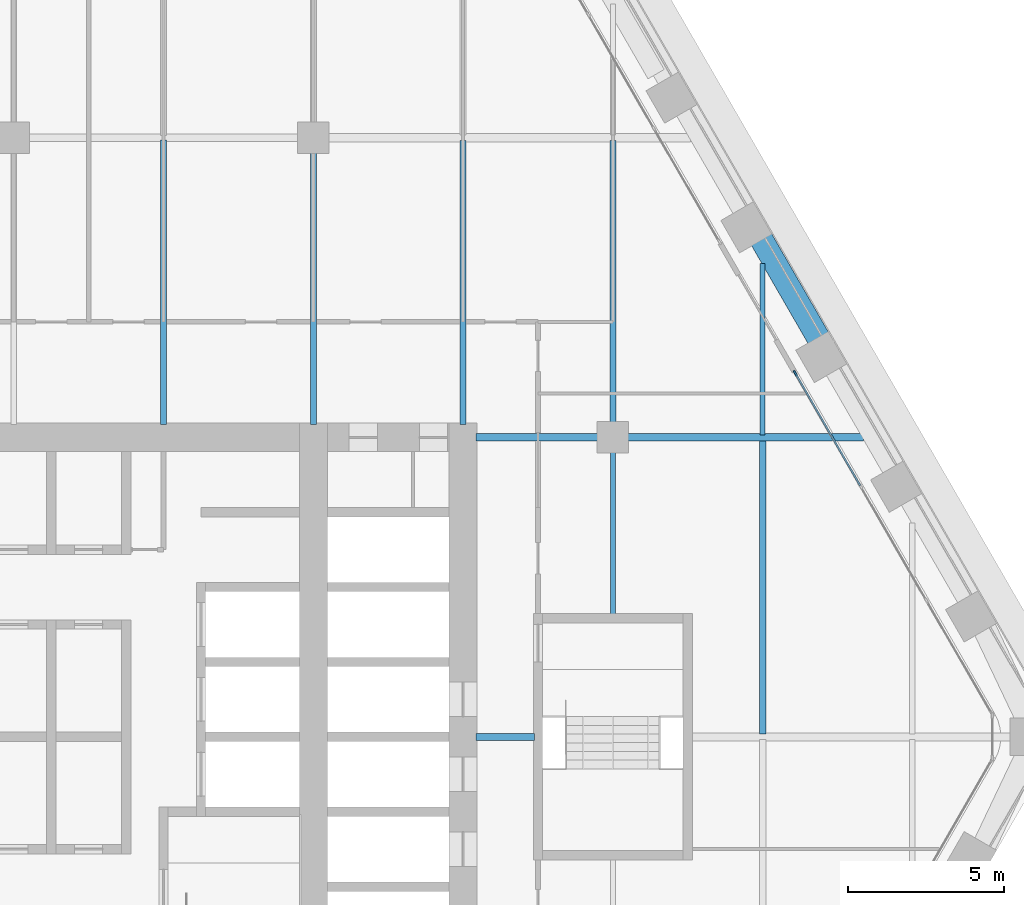
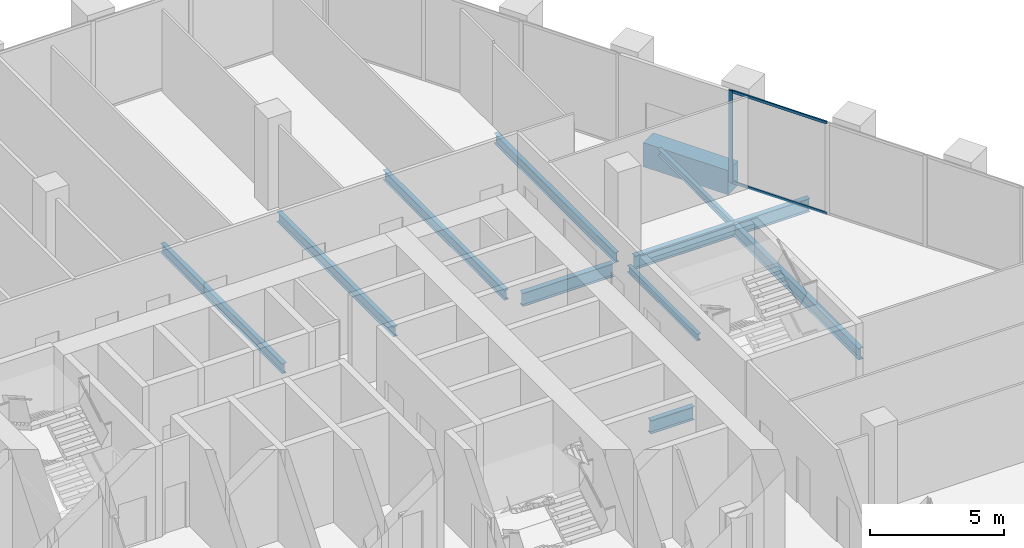
# One storey, part 9 of 27: 11 beams, 3 members, 1 element without a shape of its own.
"""IFC4 building model written with IfcOpenShell, lengths in metres."""

from ifc_helpers import new_model, si_unit, direction, frame, origin, origin_2d, place, context, subcontext, project, spatial, rectangle, i_section, extrude, material, material_profile, profile_set, type_object, element, aggregate, save


model = new_model("IFC4")

# Units and contexts
model_context = context("Model", 3, precision=1e-05, world=origin(), true_north=direction((0.0, 1.0)))
body_context = subcontext(model_context, "Body", "Model", "MODEL_VIEW")
ifc_project = project(units=[si_unit("LENGTHUNIT", "METRE"), si_unit("AREAUNIT", "SQUARE_METRE"), si_unit("VOLUMEUNIT", "CUBIC_METRE"), si_unit("PLANEANGLEUNIT", "RADIAN"), si_unit("MASSUNIT", "GRAM", prefix="KILO")], contexts=[model_context])

# Site, building, storey
site_placement = place(None, origin())
site = spatial("IfcSite", under=ifc_project, at=site_placement, CompositionType="ELEMENT")
building_placement = place(site_placement, origin())
building = spatial("IfcBuilding", under=site, at=building_placement, Name="Kolab Exchange Tower", CompositionType="ELEMENT")
storey_placement = place(building_placement, frame((0.0, 0.0, 122.89990234375)))
storey = spatial("IfcBuildingStorey", under=building, at=storey_placement, Name="L24", CompositionType="ELEMENT", Elevation=122.89990234375)

# Beams
ifc_material_1 = material(Name="Steel S355", Category="steel")
ifc_material_profile_1 = material_profile(ifc_material_1, i_section(OverallWidth=0.1650390625, OverallDepth=0.31005859375, WebThickness=0.005859375, FlangeThickness=0.009765625, at=origin_2d()), Name="W310X39")
ifc_profile_set_1 = profile_set([ifc_material_profile_1], Name="Steel S355")
beam_type_1 = type_object("IfcBeamType", Name="FLOOR BEAM W310X39", PredefinedType="BEAM", material=ifc_profile_set_1)
beam_1_placement = place(storey_placement, frame((19.199951171875, 3.909912109375, -0.35498046875), z_axis=(0.0, 1.0, 0.0), x_axis=(-1.0, 0.0, 0.0)))
element("IfcBeam", 1, at=beam_1_placement, inside=storey, type_object=beam_type_1, Name="beam/L24/fr/043", PredefinedType="BEAM", context=body_context, shape_type="SweptSolid", body=[
    extrude(i_section(OverallWidth=0.1650390625, OverallDepth=0.31005859375, WebThickness=0.005859375, FlangeThickness=0.009765625, at=origin_2d()), origin(), (0.0, 0.0, 1.0), 5.22998046875),
])
beam_2_placement = place(storey_placement, frame((24.0, 9.674072265625, -0.35498046875), z_axis=(0.0, 1.0, 0.0), x_axis=(-1.0, 0.0, 0.0)))
element("IfcBeam", 2, at=beam_2_placement, inside=storey, type_object=beam_type_1, Name="beam/L24/fr/049", PredefinedType="BEAM", context=body_context, shape_type="SweptSolid", body=[
    extrude(i_section(OverallWidth=0.1650390625, OverallDepth=0.31005859375, WebThickness=0.005859375, FlangeThickness=0.009765625, at=origin_2d()), origin(), (0.0, 0.0, 1.0), 5.49365234375),
])
ifc_material_profile_2 = material_profile(ifc_material_1, i_section(OverallWidth=0.18994140625, OverallDepth=0.45703125, WebThickness=0.009033203125, FlangeThickness=0.014404296875, at=origin_2d()), Name="W460X74")
ifc_profile_set_2 = profile_set([ifc_material_profile_2], Name="Steel S355")
beam_type_2 = type_object("IfcBeamType", Name="FLOOR BEAM W460X74", PredefinedType="BEAM", material=ifc_profile_set_2)
beam_3_placement = place(storey_placement, frame((4.800048828125, 10.010009765625, -0.428466796875), z_axis=(0.0, 1.0, 0.0), x_axis=(-1.0, 0.0, 0.0)))
element("IfcBeam", 3, at=beam_3_placement, inside=storey, type_object=beam_type_2, Name="beam/L24/fr/030", PredefinedType="BEAM", context=body_context, shape_type="SweptSolid", body=[
    extrude(i_section(OverallWidth=0.18994140625, OverallDepth=0.45703125, WebThickness=0.009033203125, FlangeThickness=0.014404296875, at=origin_2d()), origin(), (0.0, 0.0, 1.0), 9.115966796875),
])
beam_4_placement = place(storey_placement, frame((9.60009765625, 10.010009765625, -0.428466796875), z_axis=(0.0, 1.0, 0.0), x_axis=(-1.0, 0.0, 0.0)))
element("IfcBeam", 4, at=beam_4_placement, inside=storey, type_object=beam_type_2, Name="beam/L24/fr/034", PredefinedType="BEAM", context=body_context, shape_type="SweptSolid", body=[
    extrude(i_section(OverallWidth=0.18994140625, OverallDepth=0.45703125, WebThickness=0.009033203125, FlangeThickness=0.014404296875, at=origin_2d()), origin(), (0.0, 0.0, 1.0), 8.72998046875),
])
beam_5_placement = place(storey_placement, frame((14.39990234375, 10.010009765625, -0.428466796875), z_axis=(0.0, 1.0, 0.0), x_axis=(-1.0, 0.0, 0.0)))
element("IfcBeam", 5, at=beam_5_placement, inside=storey, type_object=beam_type_2, Name="beam/L24/fr/038", PredefinedType="BEAM", context=body_context, shape_type="SweptSolid", body=[
    extrude(i_section(OverallWidth=0.18994140625, OverallDepth=0.45703125, WebThickness=0.009033203125, FlangeThickness=0.014404296875, at=origin_2d()), origin(), (0.0, 0.0, 1.0), 9.096435546875),
])
beam_6_placement = place(storey_placement, frame((19.199951171875, 10.06005859375, -0.428466796875), z_axis=(0.0, 1.0, 0.0), x_axis=(-1.0, 0.0, 0.0)))
element("IfcBeam", 6, at=beam_6_placement, inside=storey, type_object=beam_type_2, Name="beam/L24/fr/044", PredefinedType="BEAM", context=body_context, shape_type="SweptSolid", body=[
    extrude(i_section(OverallWidth=0.18994140625, OverallDepth=0.45703125, WebThickness=0.009033203125, FlangeThickness=0.014404296875, at=origin_2d()), origin(), (0.0, 0.0, 1.0), 9.04638671875),
])
ifc_material_profile_3 = material_profile(ifc_material_1, i_section(OverallWidth=0.208984375, OverallDepth=0.532958984375, WebThickness=0.01025390625, FlangeThickness=0.015625, at=origin_2d()), Name="W530X92")
ifc_profile_set_3 = profile_set([ifc_material_profile_3], Name="Steel S355")
beam_type_3 = type_object("IfcBeamType", Name="FLOOR BEAM W530X92", PredefinedType="BEAM", material=ifc_profile_set_3)
beam_7_placement = place(storey_placement, frame((24.0, 0.0869140625, -0.46630859375), z_axis=(0.0, 1.0, 0.0), x_axis=(-1.0, 0.0, 0.0)))
element("IfcBeam", 7, at=beam_7_placement, inside=storey, type_object=beam_type_3, Name="beam/L24/fr/048", PredefinedType="BEAM", context=body_context, shape_type="SweptSolid", body=[
    extrude(i_section(OverallWidth=0.208984375, OverallDepth=0.532958984375, WebThickness=0.01025390625, FlangeThickness=0.015625, at=origin_2d()), origin(), (0.0, 0.0, 1.0), 9.43896484375),
])
ifc_material_profile_4 = material_profile(ifc_material_1, i_section(OverallWidth=0.22802734375, OverallDepth=0.60791015625, WebThickness=0.01123046875, FlangeThickness=0.017333984375, at=origin_2d()), Name="W610X113")
ifc_profile_set_4 = profile_set([ifc_material_profile_4], Name="Steel S355")
beam_type_4 = type_object("IfcBeamType", Name="FLOOR GIRDER W610X113", PredefinedType="BEAM", material=ifc_profile_set_4)
beam_8_placement = place(storey_placement, frame((14.81005859375, 0.0, -0.50390625), z_axis=(1.0, 0.0, 0.0), x_axis=(0.0, 1.0, 0.0)))
element("IfcBeam", 8, at=beam_8_placement, inside=storey, type_object=beam_type_4, Name="beam/L24/gd/015", PredefinedType="BEAM", context=body_context, shape_type="SweptSolid", body=[
    extrude(i_section(OverallWidth=0.22802734375, OverallDepth=0.60791015625, WebThickness=0.01123046875, FlangeThickness=0.017333984375, at=origin_2d()), origin(), (0.0, 0.0, 1.0), 1.8798828125),
])
beam_9_placement = place(storey_placement, frame((14.81005859375, 9.60009765625, -0.50390625), z_axis=(1.0, 0.0, 0.0), x_axis=(0.0, 1.0, 0.0)))
element("IfcBeam", 9, at=beam_9_placement, inside=storey, type_object=beam_type_4, Name="beam/L24/gd/016", PredefinedType="BEAM", context=body_context, shape_type="SweptSolid", body=[
    extrude(i_section(OverallWidth=0.22802734375, OverallDepth=0.60791015625, WebThickness=0.01123046875, FlangeThickness=0.017333984375, at=origin_2d()), origin(), (0.0, 0.0, 1.0), 3.929931640625),
])
beam_10_placement = place(storey_placement, frame((19.659912109375, 9.60009765625, -0.50390625), z_axis=(1.0, 0.0, 0.0), x_axis=(0.0, 1.0, 0.0)))
element("IfcBeam", 10, at=beam_10_placement, inside=storey, type_object=beam_type_4, Name="beam/L24/gd/018", PredefinedType="BEAM", context=body_context, shape_type="SweptSolid", body=[
    extrude(i_section(OverallWidth=0.22802734375, OverallDepth=0.60791015625, WebThickness=0.01123046875, FlangeThickness=0.017333984375, at=origin_2d()), origin(), (0.0, 0.0, 1.0), 7.571533203125),
])
ifc_material_2 = material(Name="Concrete C70/85", Category="concrete")
ifc_material_profile_5 = material_profile(ifc_material_2, rectangle(XDim=0.75, YDim=1.10009765625, at=origin_2d()), Name="RC750X1100")
ifc_profile_set_5 = profile_set([ifc_material_profile_5], Name="Concrete C70/85")
beam_type_5 = type_object("IfcBeamType", Name="SPANDREL BEAM 750X1100 C70/85", PredefinedType="BEAM", material=ifc_profile_set_5)
beam_11_placement = place(storey_placement, frame((23.955322265625, 15.955322265625, -0.75), z_axis=(0.499963655964, -0.866046386007, 0.0), x_axis=(0.866046386007, 0.499963655964, 0.0)))
element("IfcBeam", 11, at=beam_11_placement, inside=storey, type_object=beam_type_5, Name="beam/L24/sp/F2-04", PredefinedType="BEAM", context=body_context, shape_type="SweptSolid", body=[
    extrude(rectangle(XDim=0.75, YDim=1.10009765625, at=origin_2d()), origin(), (0.0, 0.0, 1.0), 3.679931640625),
])

# Curtain wall, members
ifc_material_3 = material(Name="Aluminium EN AW-6063 T6", Category="aluminium")
curtain_wall_type = type_object("IfcCurtainWallType", Name="UNITISED LOWER MID ZONE CURTAIN WALL", PredefinedType="NOTDEFINED", material=ifc_material_3)
curtain_wall_placement = place(storey_placement, origin())
curtain_wall = element("IfcCurtainWall", 12, at=curtain_wall_placement, inside=storey, type_object=curtain_wall_type, Name="cw/L24/F2-2", PredefinedType="NOTDEFINED")
ifc_material_profile_6 = material_profile(ifc_material_3, rectangle(XDim=0.06005859375, YDim=0.179931640625, at=origin_2d()), Name="RECT 60X180")
ifc_profile_set_6 = profile_set([ifc_material_profile_6], Name="Aluminium EN AW-6063 T6")
member_type_1 = type_object("IfcMemberType", Name="UNITISED LOWER MID ZONE MULLION 60 X 180", PredefinedType="MULLION", material=ifc_profile_set_6)
member_1_placement = place(storey_placement, frame((25.046630859375, 11.65478515625, 0.0), z_axis=(0.0, 0.0, 1.0), x_axis=(0.866025427826, 0.499999958358, 0.0)))
member_1 = element("IfcMember", 13, at=member_1_placement, type_object=member_type_1, Name="CW2 mullion 1", PredefinedType="MULLION", context=body_context, shape_type="SweptSolid", body=[
    extrude(rectangle(XDim=0.06005859375, YDim=0.179931640625, at=origin_2d()), origin(), (0.0, 0.0, 1.0), 4.2001953125),
])
ifc_material_profile_7 = material_profile(ifc_material_3, rectangle(XDim=0.06005859375, YDim=0.1201171875, at=origin_2d()), Name="RECT 60X120")
ifc_profile_set_7 = profile_set([ifc_material_profile_7], Name="Aluminium EN AW-6063 T6")
member_type_2 = type_object("IfcMemberType", Name="UNITISED LOWER MID ZONE TRANSOM 60 X 120", PredefinedType="USERDEFINED", material=ifc_profile_set_7)
member_2_placement = place(storey_placement, frame((25.061767578125, 11.62890625, 0.030029296875), z_axis=(0.499957688808, -0.866049830784, 0.0), x_axis=(0.866049830784, 0.499957688808, 0.0)))
member_2 = element("IfcMember", 14, at=member_2_placement, type_object=member_type_2, Name="CW2 transom 1.1", ObjectType="TRANSOM", PredefinedType="USERDEFINED", context=body_context, shape_type="SweptSolid", body=[
    extrude(rectangle(XDim=0.06005859375, YDim=0.1201171875, at=origin_2d()), origin(), (0.0, 0.0, 1.0), 4.132568359375),
])
member_3_placement = place(storey_placement, frame((25.061767578125, 11.62890625, 4.170166015625), z_axis=(0.499957688808, -0.866049830784, 0.0), x_axis=(0.866049830784, 0.499957688808, 0.0)))
member_3 = element("IfcMember", 15, at=member_3_placement, type_object=member_type_2, Name="CW2 transom 1.2", ObjectType="TRANSOM", PredefinedType="USERDEFINED", context=body_context, shape_type="SweptSolid", body=[
    extrude(rectangle(XDim=0.06005859375, YDim=0.1201171875, at=origin_2d()), origin(), (0.0, 0.0, 1.0), 4.132568359375),
])
aggregate(curtain_wall, [member_1, member_2, member_3])

save(model, "model.ifc")
